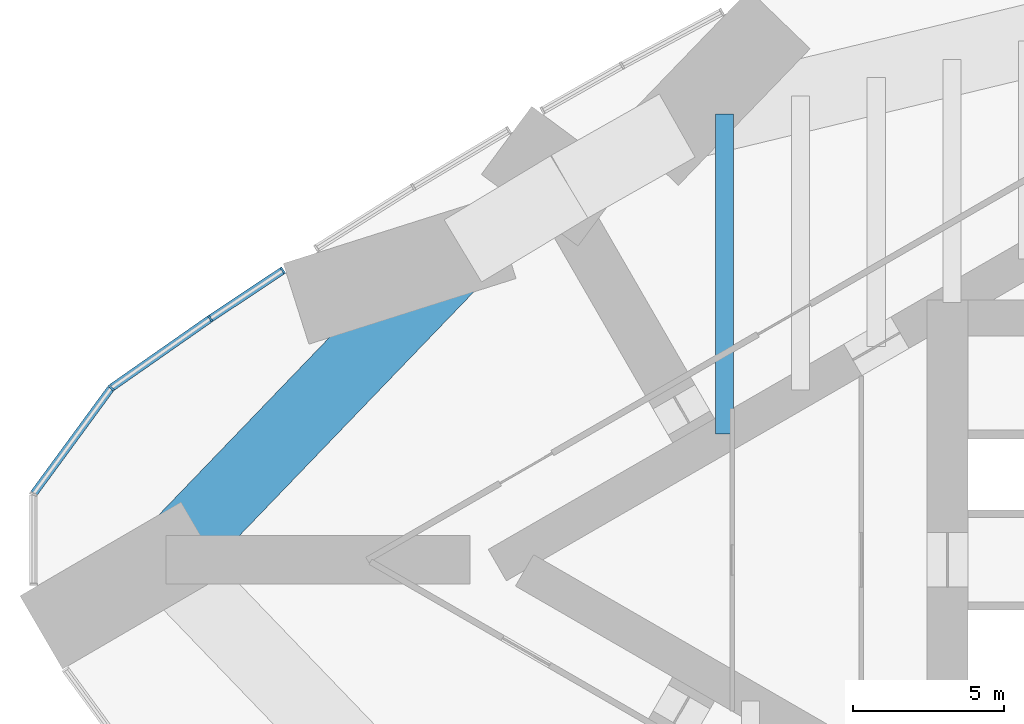
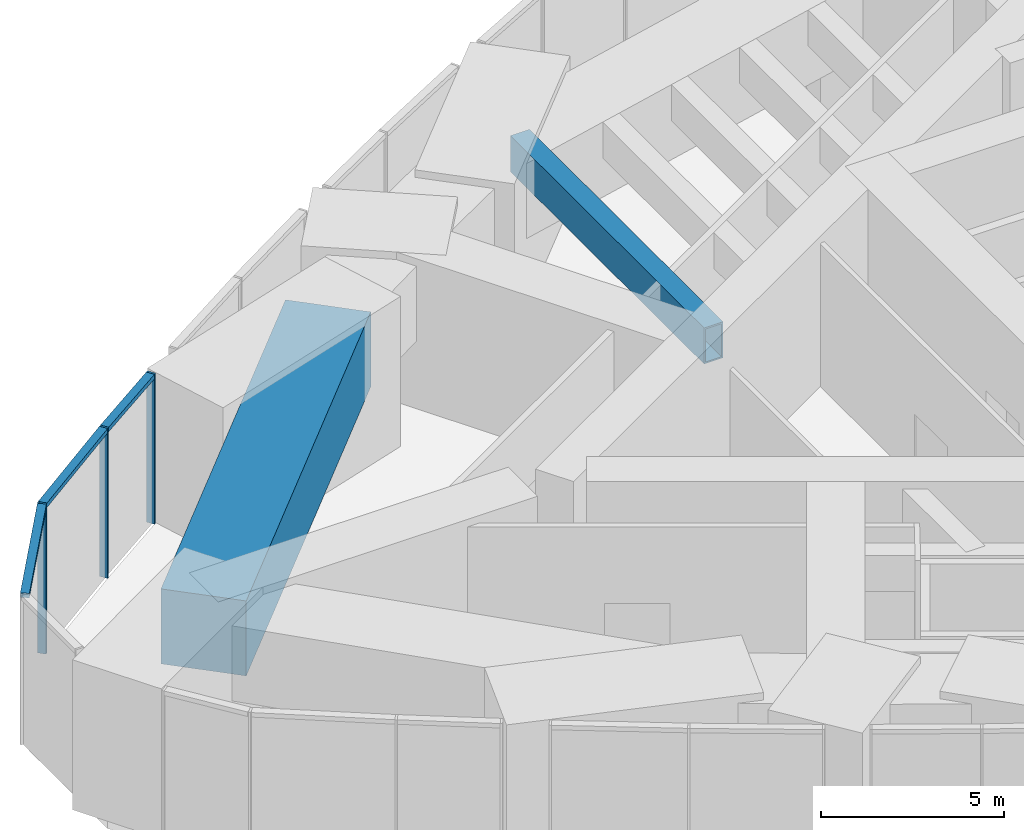
# One storey, part 3 of 21: 6 members, 2 beams, 1 element without a shape of its own.
"""IFC4 building model written with IfcOpenShell, lengths in metres."""

from ifc_helpers import new_model, si_unit, direction, frame, origin, origin_2d, place, context, subcontext, project, spatial, rectangle, hollow_rectangle, extrude, material, material_profile, profile_set, type_object, element, aggregate, save


model = new_model("IFC4")

# Units and contexts
model_context = context("Model", 3, precision=1e-05, world=origin(), true_north=direction((0.0, 1.0)))
body_context = subcontext(model_context, "Body", "Model", "MODEL_VIEW")
ifc_project = project(units=[si_unit("LENGTHUNIT", "METRE"), si_unit("AREAUNIT", "SQUARE_METRE"), si_unit("VOLUMEUNIT", "CUBIC_METRE"), si_unit("PLANEANGLEUNIT", "RADIAN"), si_unit("MASSUNIT", "GRAM", prefix="KILO")], contexts=[model_context])

# Site, building, storey
site_placement = place(None, origin())
site = spatial("IfcSite", under=ifc_project, at=site_placement, CompositionType="ELEMENT")
building_placement = place(site_placement, origin())
building = spatial("IfcBuilding", under=site, at=building_placement, Name="Lancet Gate Hotel", CompositionType="ELEMENT")
storey_placement = place(building_placement, frame((0.0, 0.0, 205.300048828125)))
storey = spatial("IfcBuildingStorey", under=building, at=storey_placement, Name="L55", CompositionType="ELEMENT", Elevation=205.300048828125)

# Curtain wall, members
ifc_material_1 = material(Name="Aluminium curtain wall", Category="aluminium")
curtain_wall_type = type_object("IfcCurtainWallType", Name="Refuge storey louvred curtain wall", PredefinedType="USERDEFINED", material=ifc_material_1)
curtain_wall_placement = place(storey_placement, origin())
curtain_wall = element("IfcCurtainWall", 1, at=curtain_wall_placement, inside=storey, type_object=curtain_wall_type, Name="T1 L55 curtain wall 5", ObjectType="LANTERN GLAZING", PredefinedType="USERDEFINED")
ifc_material_2 = material(Name="Aluminium mullion", Category="aluminium")
ifc_material_profile_1 = material_profile(ifc_material_2, rectangle(XDim=0.06494140625, YDim=0.25, at=origin_2d()), Name="MULLION 65x250")
ifc_profile_set_1 = profile_set([ifc_material_profile_1], Name="Aluminium mullion")
member_type_1 = type_object("IfcMemberType", Name="Aluminium mullion 65x250", PredefinedType="MULLION", material=ifc_profile_set_1)
member_1_placement = place(storey_placement, frame((-59.3642578125, 9.57470703125, 0.0), z_axis=(0.0, 0.0, 1.0), x_axis=(-0.832879255498, -0.553454736867, 0.0)))
member_1 = element("IfcMember", 2, at=member_1_placement, type_object=member_type_1, Name="T1 L55 curtain wall 5 mullion 1", PredefinedType="MULLION", context=body_context, shape_type="SweptSolid", body=[
    extrude(rectangle(XDim=0.06494140625, YDim=0.25, at=origin_2d()), origin(), (0.0, 0.0, 1.0), 5.0),
])
member_2_placement = place(storey_placement, frame((-61.7626953125, 7.980712890625, 0.0), z_axis=(0.0, 0.0, 1.0), x_axis=(-0.825232844687, -0.564792662886, 0.0)))
member_2 = element("IfcMember", 3, at=member_2_placement, type_object=member_type_1, Name="T1 L55 curtain wall 5 mullion 2", PredefinedType="MULLION", context=body_context, shape_type="SweptSolid", body=[
    extrude(rectangle(XDim=0.06494140625, YDim=0.25, at=origin_2d()), origin(), (0.0, 0.0, 1.0), 5.0),
])
member_3_placement = place(storey_placement, frame((-65.040283203125, 5.68994140625, 0.0), z_axis=(0.0, 0.0, 1.0), x_axis=(-0.710112861968, -0.704087866155, 0.0)))
member_3 = element("IfcMember", 4, at=member_3_placement, type_object=member_type_1, Name="T1 L55 curtain wall 5 mullion 3", PredefinedType="MULLION", context=body_context, shape_type="SweptSolid", body=[
    extrude(rectangle(XDim=0.06494140625, YDim=0.25, at=origin_2d()), origin(), (0.0, 0.0, 1.0), 5.0),
])
ifc_material_3 = material(Name="Aluminium transom", Category="aluminium")
ifc_material_profile_2 = material_profile(ifc_material_3, rectangle(XDim=0.25, YDim=0.14990234375, at=origin_2d()), Name="TRANSOM 250x150")
ifc_profile_set_2 = profile_set([ifc_material_profile_2], Name="Aluminium transom")
member_type_2 = type_object("IfcMemberType", Name="Aluminium transom 250x150", PredefinedType="USERDEFINED", material=ifc_profile_set_2)
member_4_placement = place(storey_placement, frame((-59.391357421875, 9.556640625, 4.925048828125), z_axis=(-0.83286340622, -0.553478587283, 0.0), x_axis=(0.553478587283, -0.83286340622, 0.0)))
member_4 = element("IfcMember", 5, at=member_4_placement, type_object=member_type_2, Name="T1 L55 curtain wall 5 transom 1", ObjectType="TRANSOM", PredefinedType="USERDEFINED", context=body_context, shape_type="SweptSolid", body=[
    extrude(rectangle(XDim=0.25, YDim=0.14990234375, at=origin_2d()), origin(), (0.0, 0.0, 1.0), 2.814697265625),
])
member_5_placement = place(storey_placement, frame((-61.789306640625, 7.962158203125, 4.925048828125), z_axis=(-0.819636985462, -0.572883244704, 0.0), x_axis=(0.572883244704, -0.819636985462, 0.0)))
member_5 = element("IfcMember", 6, at=member_5_placement, type_object=member_type_2, Name="T1 L55 curtain wall 5 transom 2", ObjectType="TRANSOM", PredefinedType="USERDEFINED", context=body_context, shape_type="SweptSolid", body=[
    extrude(rectangle(XDim=0.25, YDim=0.14990234375, at=origin_2d()), origin(), (0.0, 0.0, 1.0), 3.933837890625),
])
member_6_placement = place(storey_placement, frame((-65.0595703125, 5.66357421875, 4.925048828125), z_axis=(-0.591324189618, -0.806433941977, 0.0), x_axis=(0.806433941977, -0.591324189618, 0.0)))
member_6 = element("IfcMember", 7, at=member_6_placement, type_object=member_type_2, Name="T1 L55 curtain wall 5 transom 3", ObjectType="TRANSOM", PredefinedType="USERDEFINED", context=body_context, shape_type="SweptSolid", body=[
    extrude(rectangle(XDim=0.25, YDim=0.14990234375, at=origin_2d()), origin(), (0.0, 0.0, 1.0), 4.2900390625),
])
aggregate(curtain_wall, [member_1, member_2, member_3, member_4, member_5, member_6])

# Beams
ifc_material_4 = material(Name="Steel S460QL", Category="steel")
ifc_material_profile_3 = material_profile(ifc_material_4, hollow_rectangle(XDim=0.60009765625, YDim=1.199951171875, WallThickness=0.050048828125, at=origin_2d()), Name="BOX 1200x600x50")
ifc_profile_set_3 = profile_set([ifc_material_profile_3], Name="Steel S460QL")
beam_type_1 = type_object("IfcBeamType", Name="Refuge floor beam BOX 1200x600x50", PredefinedType="BEAM", material=ifc_profile_set_3)
beam_1_placement = place(storey_placement, frame((-44.747802734375, 14.743896484375, 4.14990234375), z_axis=(0.0, -1.0, 0.0), x_axis=(1.0, 0.0, 0.0)))
element("IfcBeam", 8, at=beam_1_placement, inside=storey, type_object=beam_type_1, Name="T1 floor beam F08S L55", PredefinedType="BEAM", context=body_context, shape_type="SweptSolid", body=[
    extrude(hollow_rectangle(XDim=0.60009765625, YDim=1.199951171875, WallThickness=0.050048828125, at=origin_2d()), origin(), (0.0, 0.0, 1.0), 10.5751953125),
])
ifc_material_5 = material(Name="Concrete C50/60", Category="concrete")
ifc_material_profile_4 = material_profile(ifc_material_5, rectangle(XDim=2.39990234375, YDim=2.5, at=origin_2d()), Name="RC 2400x2500")
ifc_profile_set_4 = profile_set([ifc_material_profile_4], Name="Concrete C50/60")
beam_type_2 = type_object("IfcBeamType", Name="Tie ring beam RC 2400x2500", PredefinedType="SPANDREL", material=ifc_profile_set_4)
beam_2_placement = place(storey_placement, frame((-53.40771484375, 10.218994140625, 3.5), z_axis=(-0.693134527053, -0.720808245934, 0.0), x_axis=(0.720808245934, -0.693134527053, 0.0)))
element("IfcBeam", 9, at=beam_2_placement, inside=storey, type_object=beam_type_2, Name="T1 tie ring beam RG1 L55", PredefinedType="SPANDREL", context=body_context, shape_type="SweptSolid", body=[
    extrude(rectangle(XDim=2.39990234375, YDim=2.5, at=origin_2d()), origin(), (0.0, 0.0, 1.0), 14.17724609375),
])

save(model, "model.ifc")
